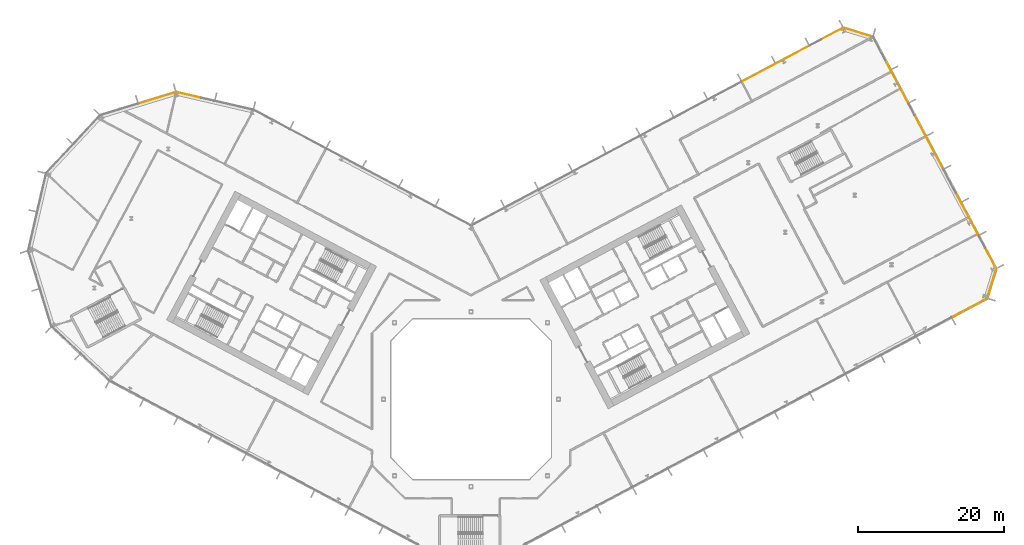
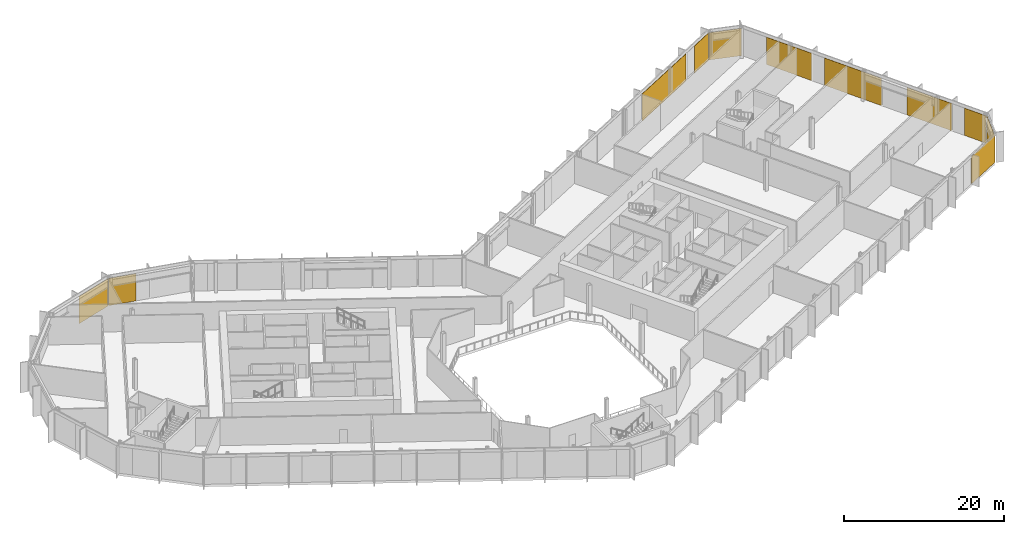
# One storey, part 31 of 31: 11 coverings, 7 elements without a shape of their own.
"""IFC4 building model written with IfcOpenShell, lengths in metres."""

from ifc_helpers import new_model, si_unit, direction, frame, origin, origin_2d, place, context, subcontext, project, spatial, rectangle, extrude, material, layer, layer_set, type_object, element, aggregate, save


model = new_model("IFC4")

# Units and contexts
model_context = context("Model", 3, precision=1e-05, world=origin(), true_north=direction((0.0, 1.0)))
body_context = subcontext(model_context, "Body", "Model", "MODEL_VIEW")
ifc_project = project(units=[si_unit("LENGTHUNIT", "METRE"), si_unit("AREAUNIT", "SQUARE_METRE"), si_unit("VOLUMEUNIT", "CUBIC_METRE"), si_unit("PLANEANGLEUNIT", "RADIAN"), si_unit("MASSUNIT", "GRAM", prefix="KILO")], contexts=[model_context])

# Site, building, storey
site_placement = place(None, origin())
site = spatial("IfcSite", under=ifc_project, at=site_placement, CompositionType="ELEMENT")
building_placement = place(site_placement, origin())
building = spatial("IfcBuilding", under=site, at=building_placement, Name="Cormorant Relay Tower", CompositionType="ELEMENT")
storey_placement = place(building_placement, frame((0.0, 0.0, 98.39990234375)))
storey = spatial("IfcBuildingStorey", under=building, at=storey_placement, Name="L19", CompositionType="ELEMENT", Elevation=98.39990234375)

# Curtain wall, covering
ifc_material_1 = material(Name="Aluminium 6063-T6 anodised bronze", Category="aluminium")
ifc_layer_1 = layer(ifc_material_1, 0.199951171875)
ifc_layer_set_1 = layer_set([ifc_layer_1], Name="CW1 unitised bronze curtain wall with vertical fins")
curtain_wall_type = type_object("IfcCurtainWallType", Name="CW1 unitised bronze curtain wall with vertical fins", PredefinedType="NOTDEFINED", material=ifc_layer_set_1)
curtain_wall_1_placement = place(storey_placement, origin())
curtain_wall_1 = element("IfcCurtainWall", 1, at=curtain_wall_1_placement, inside=storey, type_object=curtain_wall_type, Name="CW1 curtain wall 2", PredefinedType="NOTDEFINED")
ifc_material_2 = material(Name="Pale bronze anodised aluminium insulated panel", Category="aluminium")
ifc_layer_2 = layer(ifc_material_2, 0.0400390625)
ifc_layer_set_2 = layer_set([ifc_layer_2], Name="CW1 pale bronze insulated panel 40")
covering_type = type_object("IfcCoveringType", Name="CW1 pale bronze insulated panel 40", PredefinedType="CLADDING", material=ifc_layer_set_2)
covering_1_placement = place(storey_placement, frame((68.391357421875, 12.557861328125, 0.000244140625), z_axis=(0.0, 0.0, 1.0), x_axis=(0.882947592859, 0.469471562786, 0.0)))
covering_1 = element("IfcCovering", 2, at=covering_1_placement, type_object=covering_type, Name="CW1 panel S13", PredefinedType="CLADDING", context=body_context, shape_type="SweptSolid", body=[
    extrude(rectangle(XDim=5.436767578125, YDim=0.0400390625, at=origin_2d()), origin(), (0.0, 0.0, 1.0), 4.14990234375),
])
aggregate(curtain_wall_1, [covering_1])

curtain_wall_2_placement = place(storey_placement, origin())
curtain_wall_2 = element("IfcCurtainWall", 3, at=curtain_wall_2_placement, inside=storey, type_object=curtain_wall_type, Name="CW1 curtain wall 3", PredefinedType="NOTDEFINED")
covering_2_placement = place(storey_placement, frame((71.4326171875, 15.910400390625, 0.000244140625), z_axis=(0.0, 0.0, 1.0), x_axis=(0.292371704723, 0.956304755963, 0.0)))
covering_2 = element("IfcCovering", 4, at=covering_2_placement, type_object=covering_type, Name="CW1 panel S00", PredefinedType="CLADDING", context=body_context, shape_type="SweptSolid", body=[
    extrude(rectangle(XDim=4.16748046875, YDim=0.0400390625, at=origin_2d()), origin(), (0.0, 0.0, 1.0), 4.14990234375),
])
aggregate(curtain_wall_2, [covering_2])

# Curtain wall, coverings
curtain_wall_3_placement = place(storey_placement, origin())
curtain_wall_3 = element("IfcCurtainWall", 5, at=curtain_wall_3_placement, inside=storey, type_object=curtain_wall_type, Name="CW1 curtain wall 4", PredefinedType="NOTDEFINED")
covering_3_placement = place(storey_placement, frame((71.255615234375, 19.39404296875, 0.000244140625), z_axis=(0.0, 0.0, 1.0), x_axis=(-0.469471562786, 0.882947592859, 0.0)))
covering_3 = element("IfcCovering", 6, at=covering_3_placement, type_object=covering_type, Name="CW1 panel S00", PredefinedType="CLADDING", context=body_context, shape_type="SweptSolid", body=[
    extrude(rectangle(XDim=3.19287109375, YDim=0.0400390625, at=origin_2d()), origin(), (0.0, 0.0, 1.0), 4.14990234375),
])
covering_4_placement = place(storey_placement, frame((68.056640625, 25.41064453125, 0.000244140625), z_axis=(0.0, 0.0, 1.0), x_axis=(-0.469471562786, 0.882947592859, 0.0)))
covering_4 = element("IfcCovering", 7, at=covering_4_placement, type_object=covering_type, Name="CW1 panel S02", PredefinedType="CLADDING", context=body_context, shape_type="SweptSolid", body=[
    extrude(rectangle(XDim=6.53564453125, YDim=0.0400390625, at=origin_2d()), origin(), (0.0, 0.0, 1.0), 4.14990234375),
])
covering_5_placement = place(storey_placement, frame((62.80517578125, 35.287109375, 0.000244140625), z_axis=(0.0, 0.0, 1.0), x_axis=(-0.469471562786, 0.882947592859, 0.0)))
covering_5 = element("IfcCovering", 8, at=covering_5_placement, type_object=covering_type, Name="CW1 panel S04", PredefinedType="CLADDING", context=body_context, shape_type="SweptSolid", body=[
    extrude(rectangle(XDim=8.335693359375, YDim=0.0400390625, at=origin_2d()), origin(), (0.0, 0.0, 1.0), 4.14990234375),
])
covering_6_placement = place(storey_placement, frame((58.38134765625, 43.607421875, 0.000244140625), z_axis=(0.0, 0.0, 1.0), x_axis=(-0.469471562786, 0.882947592859, 0.0)))
covering_6 = element("IfcCovering", 9, at=covering_6_placement, type_object=covering_type, Name="CW1 panel S06", PredefinedType="CLADDING", context=body_context, shape_type="SweptSolid", body=[
    extrude(rectangle(XDim=6.610595703125, YDim=0.0400390625, at=origin_2d()), origin(), (0.0, 0.0, 1.0), 4.14990234375),
])
aggregate(curtain_wall_3, [covering_3, covering_4, covering_5, covering_6])

# Curtain wall, covering
curtain_wall_4_placement = place(storey_placement, origin())
curtain_wall_4 = element("IfcCurtainWall", 10, at=curtain_wall_4_placement, inside=storey, type_object=curtain_wall_type, Name="CW1 curtain wall 5", PredefinedType="NOTDEFINED")
covering_7_placement = place(storey_placement, frame((53.06298828125, 50.34521484375, 0.000244140625), z_axis=(0.0, 0.0, 1.0), x_axis=(-0.956304755963, 0.292371704723, 0.0)))
covering_7 = element("IfcCovering", 11, at=covering_7_placement, type_object=covering_type, Name="CW1 panel S00", PredefinedType="CLADDING", context=body_context, shape_type="SweptSolid", body=[
    extrude(rectangle(XDim=4.16748046875, YDim=0.0400390625, at=origin_2d()), origin(), (0.0, 0.0, 1.0), 4.14990234375),
])
aggregate(curtain_wall_4, [covering_7])

# Curtain wall, coverings
curtain_wall_5_placement = place(storey_placement, origin())
curtain_wall_5 = element("IfcCurtainWall", 12, at=curtain_wall_5_placement, inside=storey, type_object=curtain_wall_type, Name="CW1 curtain wall 6", PredefinedType="NOTDEFINED")
covering_8_placement = place(storey_placement, frame((49.528564453125, 50.1416015625, 0.000244140625), z_axis=(0.0, 0.0, 1.0), x_axis=(-0.882947592859, -0.469471562786, 0.0)))
covering_8 = element("IfcCovering", 13, at=covering_8_placement, type_object=covering_type, Name="CW1 panel S00", PredefinedType="CLADDING", context=body_context, shape_type="SweptSolid", body=[
    extrude(rectangle(XDim=3.3076171875, YDim=0.0400390625, at=origin_2d()), origin(), (0.0, 0.0, 1.0), 4.14990234375),
])
covering_9_placement = place(storey_placement, frame((41.7705078125, 46.0166015625, 0.000244140625), z_axis=(0.0, 0.0, 1.0), x_axis=(-0.882947592859, -0.469471562786, 0.0)))
covering_9 = element("IfcCovering", 14, at=covering_9_placement, type_object=covering_type, Name="CW1 panel S02", PredefinedType="CLADDING", context=body_context, shape_type="SweptSolid", body=[
    extrude(rectangle(XDim=10.365234375, YDim=0.0400390625, at=origin_2d()), origin(), (0.0, 0.0, 1.0), 4.14990234375),
])
aggregate(curtain_wall_5, [covering_8, covering_9])

# Curtain wall, covering
curtain_wall_6_placement = place(storey_placement, origin())
curtain_wall_6 = element("IfcCurtainWall", 15, at=curtain_wall_6_placement, inside=storey, type_object=curtain_wall_type, Name="CW1 curtain wall 8", PredefinedType="NOTDEFINED")
covering_10_placement = place(storey_placement, frame((-38.7265625, 41.732421875, 0.000244140625), z_axis=(0.0, 0.0, 1.0), x_axis=(-0.974370064785, 0.224951054344, 0.0)))
covering_10 = element("IfcCovering", 16, at=covering_10_placement, type_object=covering_type, Name="CW1 panel S02", PredefinedType="CLADDING", context=body_context, shape_type="SweptSolid", body=[
    extrude(rectangle(XDim=3.560302734375, YDim=0.0400390625, at=origin_2d()), origin(), (0.0, 0.0, 1.0), 4.14990234375),
])
aggregate(curtain_wall_6, [covering_10])

curtain_wall_7_placement = place(storey_placement, origin())
curtain_wall_7 = element("IfcCurtainWall", 17, at=curtain_wall_7_placement, inside=storey, type_object=curtain_wall_type, Name="CW1 curtain wall 9", PredefinedType="NOTDEFINED")
covering_11_placement = place(storey_placement, frame((-43.0703125, 41.337890625, 0.000244140625), z_axis=(0.0, 0.0, 1.0), x_axis=(-0.956304755963, -0.292371704723, 0.0)))
covering_11 = element("IfcCovering", 18, at=covering_11_placement, type_object=covering_type, Name="CW1 panel S00", PredefinedType="CLADDING", context=body_context, shape_type="SweptSolid", body=[
    extrude(rectangle(XDim=5.28515625, YDim=0.0400390625, at=origin_2d()), origin(), (0.0, 0.0, 1.0), 4.14990234375),
])
aggregate(curtain_wall_7, [covering_11])

save(model, "model.ifc")
